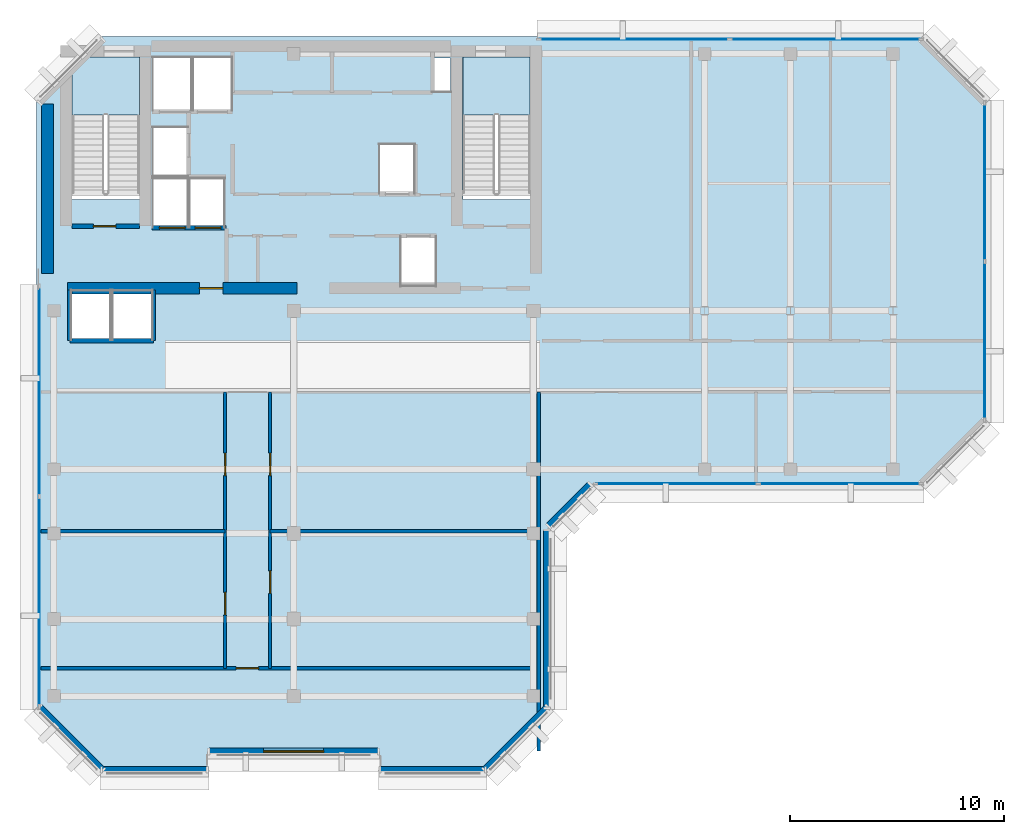
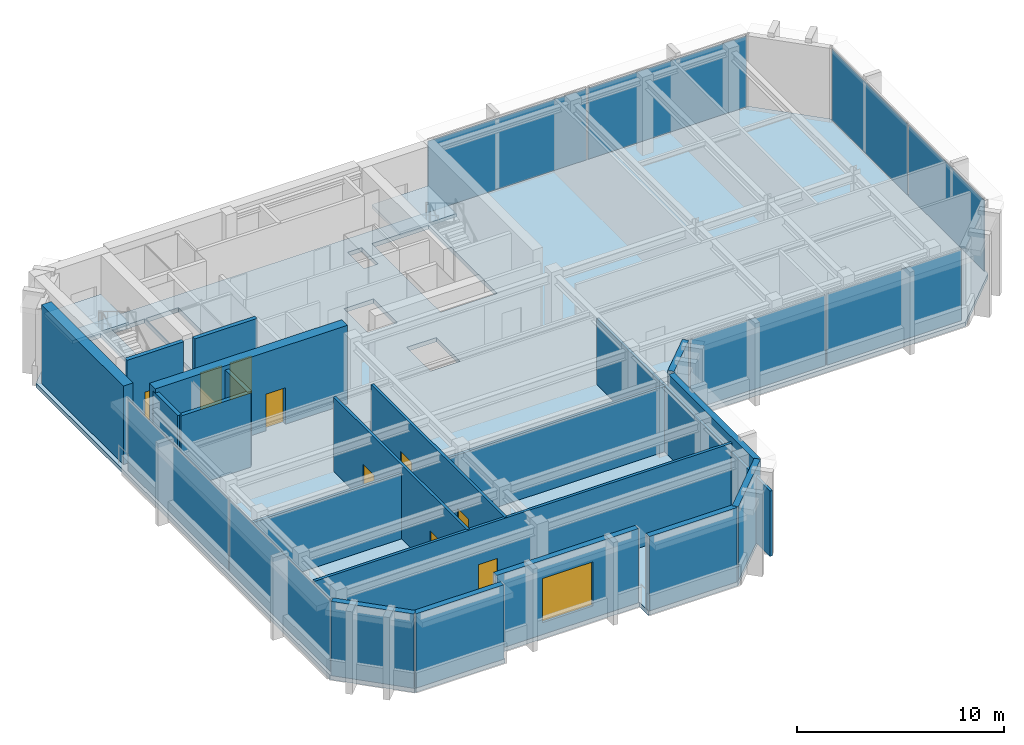
# One storey, part 4 of 9: 20 walls, 9 doors, 8 plates, 3 slabs, 1 window, 10 openings, 6 elements without a shape of their own.
"""IFC4 building model written with IfcOpenShell, lengths in metres."""

from ifc_helpers import new_model, si_unit, direction, frame, frame_2d, origin, origin_2d, place, context, subcontext, project, spatial, polyline, rectangle, outline, extrude, material, layer, layer_set, type_object, element, fill, aggregate, save


model = new_model("IFC4")

# Units and contexts
model_context = context("Model", 3, precision=1e-05, world=origin(), true_north=direction((0.0, 1.0)))
body_context = subcontext(model_context, "Body", "Model", "MODEL_VIEW")
ifc_project = project(units=[si_unit("LENGTHUNIT", "METRE"), si_unit("AREAUNIT", "SQUARE_METRE"), si_unit("VOLUMEUNIT", "CUBIC_METRE"), si_unit("PLANEANGLEUNIT", "RADIAN"), si_unit("MASSUNIT", "GRAM", prefix="KILO")], contexts=[model_context])

# Site, building, storey
site_placement = place(None, origin())
site = spatial("IfcSite", under=ifc_project, at=site_placement, CompositionType="ELEMENT")
building_placement = place(site_placement, origin())
building = spatial("IfcBuilding", under=site, at=building_placement, Name="Kefirva Bronze Tower", CompositionType="ELEMENT")
storey_placement = place(building_placement, frame((0.0, 0.0, 356.72998046875)))
storey = spatial("IfcBuildingStorey", under=building, at=storey_placement, Name="L87", CompositionType="ELEMENT", Elevation=356.72998046875)

# Stair, slab
ifc_material_1 = material(Name="Concrete C40/50", Category="concrete")
stair_type = type_object("IfcStairType", Name="RC Dogleg Protected Stair 28R", PredefinedType="HALF_TURN_STAIR", material=ifc_material_1)
stair_1_placement = place(storey_placement, origin())
stair_1 = element("IfcStair", 1, at=stair_1_placement, inside=storey, type_object=stair_type, Name="L87 Protected Exit Stair 1", PredefinedType="HALF_TURN_STAIR")
ifc_layer_1 = layer(ifc_material_1, 0.199951171875, Name="Concrete C40/50")
ifc_layer_set_1 = layer_set([ifc_layer_1], Name="Concrete C40/50")
slab_type_1 = type_object("IfcSlabType", Name="RC Stair Landing Slab 200mm", PredefinedType="LANDING", material=ifc_layer_set_1)
slab_1_placement = place(storey_placement, frame((0.0, 0.0, 2.110107421875)))
slab_1 = element("IfcSlab", 2, at=slab_1_placement, type_object=slab_type_1, Name="ST-1 landing 1", PredefinedType="LANDING", context=body_context, shape_type="SweptSolid", body=[
    extrude(outline(polyline([(4.800048828125, 42.340087890625), (4.800048828125, 45.050048828125), (1.64990234375, 45.050048828125), (1.64990234375, 42.340087890625), (4.800048828125, 42.340087890625)])), origin(), (0.0, 0.0, 1.0), 0.199951171875),
])
aggregate(stair_1, [slab_1])

stair_2_placement = place(storey_placement, origin())
stair_2 = element("IfcStair", 3, at=stair_2_placement, inside=storey, type_object=stair_type, Name="L87 Protected Exit Stair 2", PredefinedType="HALF_TURN_STAIR")
slab_2_placement = place(storey_placement, frame((0.0, 0.0, 2.110107421875)))
slab_2 = element("IfcSlab", 4, at=slab_2_placement, type_object=slab_type_1, Name="ST-2 landing 1", PredefinedType="LANDING", context=body_context, shape_type="SweptSolid", body=[
    extrude(outline(polyline([(23.050048828125, 42.340087890625), (23.050048828125, 45.050048828125), (19.89990234375, 45.050048828125), (19.89990234375, 42.340087890625), (23.050048828125, 42.340087890625)])), origin(), (0.0, 0.0, 1.0), 0.199951171875),
])
aggregate(stair_2, [slab_2])

# Slab
ifc_layer_2 = layer(ifc_material_1, 0.25, Name="Concrete C40/50")
ifc_layer_set_2 = layer_set([ifc_layer_2], Name="Concrete C40/50")
slab_type_2 = type_object("IfcSlabType", Name="RC Tower Floor Slab 250mm", PredefinedType="FLOOR", material=ifc_layer_set_2)
slab_3_placement = place(storey_placement, frame((0.0, 0.0, -0.25)))
element("IfcSlab", 5, at=slab_3_placement, inside=storey, type_object=slab_type_2, Name="L87 Structural Floor Slab", PredefinedType="FLOOR", context=body_context, shape_type="SweptSolid", body=[
    extrude(outline(polyline([(0.0, 14.60009765625), (0.0, 43.0), (1.64990234375, 44.64990234375), (1.64990234375, 38.39990234375), (4.800048828125, 38.39990234375), (4.800048828125, 45.050048828125), (2.050048828125, 45.050048828125), (3.0, 46.0), (41.39990234375, 46.0), (44.39990234375, 43.0), (44.39990234375, 28.0), (41.39990234375, 25.0), (26.0, 25.0), (24.0, 23.0), (24.0, 14.60009765625), (21.0, 11.60009765625), (16.0, 11.60009765625), (16.0, 12.449951171875), (8.0, 12.449951171875), (8.0, 11.60009765625), (3.0, 11.60009765625), (0.0, 14.60009765625)]), holes=[polyline([(23.050048828125, 45.050048828125), (19.89990234375, 45.050048828125), (19.89990234375, 38.39990234375), (23.050048828125, 38.39990234375), (23.050048828125, 45.050048828125)]), polyline([(19.320068359375, 43.419921875), (19.320068359375, 45.0), (18.52001953125, 45.0), (18.52001953125, 43.419921875), (19.320068359375, 43.419921875)]), polyline([(18.64990234375, 36.64990234375), (17.0, 36.64990234375), (17.0, 34.35009765625), (18.64990234375, 34.35009765625), (18.64990234375, 36.64990234375)]), polyline([(17.64990234375, 38.679931640625), (17.64990234375, 40.97998046875), (16.0, 40.97998046875), (16.0, 38.679931640625), (17.64990234375, 38.679931640625)]), polyline([(9.1201171875, 42.550048828125), (9.1201171875, 45.050048828125), (7.300048828125, 45.050048828125), (7.300048828125, 42.550048828125), (9.1201171875, 42.550048828125)]), polyline([(8.780029296875, 37.10009765625), (8.780029296875, 39.39990234375), (7.139892578125, 39.39990234375), (7.139892578125, 37.10009765625), (8.780029296875, 37.10009765625)]), polyline([(7.239990234375, 42.550048828125), (7.239990234375, 45.050048828125), (5.419921875, 45.050048828125), (5.419921875, 42.550048828125), (7.239990234375, 42.550048828125)]), polyline([(7.06005859375, 37.10009765625), (7.06005859375, 39.39990234375), (5.419921875, 39.39990234375), (5.419921875, 37.10009765625), (7.06005859375, 37.10009765625)]), polyline([(7.06005859375, 41.780029296875), (5.419921875, 41.780029296875), (5.419921875, 39.47998046875), (7.06005859375, 39.47998046875), (7.06005859375, 41.780029296875)]), polyline([(5.39990234375, 31.85009765625), (5.39990234375, 34.14990234375), (3.550048828125, 34.14990234375), (3.550048828125, 31.85009765625), (5.39990234375, 31.85009765625)]), polyline([(3.449951171875, 34.14990234375), (1.60009765625, 34.14990234375), (1.60009765625, 31.85009765625), (3.449951171875, 31.85009765625), (3.449951171875, 34.14990234375)])]), origin(), (0.0, 0.0, 1.0), 0.25),
])

# Curtain wall, plates
ifc_material_2 = material(Name="Bronze anodised aluminium", Category="aluminium")
ifc_layer_3 = layer(ifc_material_2, 0.219970703125, Name="Bronze anodised aluminium")
ifc_layer_set_3 = layer_set([ifc_layer_3], Name="Bronze anodised aluminium")
curtain_wall_type = type_object("IfcCurtainWallType", Name="Slanted Crown Faceted Bronze Curtain Wall", PredefinedType="USERDEFINED", material=ifc_layer_set_3)
curtain_wall_1_placement = place(storey_placement, origin())
curtain_wall_1 = element("IfcCurtainWall", 6, at=curtain_wall_1_placement, inside=storey, type_object=curtain_wall_type, Name="L87 Curtain Wall 1", ObjectType="UNITISED CURTAIN WALL", PredefinedType="USERDEFINED")
ifc_material_3 = material(Name="Laminated low-E double glazing", Category="glass")
ifc_layer_4 = layer(ifc_material_3, 0.031982421875, Name="Laminated low-E double glazing")
ifc_layer_set_4 = layer_set([ifc_layer_4], Name="Laminated low-E double glazing")
plate_type = type_object("IfcPlateType", Name="Solar-Control Low-E Vision Panel 32mm", PredefinedType="CURTAIN_PANEL", material=ifc_layer_set_4)
plate_1_placement = place(storey_placement, frame((29.89990234375, 25.1201171875, 0.090087890625), z_axis=(0.0, 0.0, 1.0), x_axis=(1.0, 0.0, 0.0)))
plate_1 = element("IfcPlate", 7, at=plate_1_placement, type_object=plate_type, Name="CW-07 panel 1.1", PredefinedType="CURTAIN_PANEL", context=body_context, shape_type="SweptSolid", body=[
    extrude(rectangle(XDim=7.510009765625, YDim=0.031982421875, at=origin_2d()), origin(), (0.0, 0.0, 1.0), 4.18994140625),
])
plate_2_placement = place(storey_placement, frame((37.5, 25.1201171875, 0.090087890625), z_axis=(0.0, 0.0, 1.0), x_axis=(1.0, 0.0, 0.0)))
plate_2 = element("IfcPlate", 8, at=plate_2_placement, type_object=plate_type, Name="CW-07 panel 2.1", PredefinedType="CURTAIN_PANEL", context=body_context, shape_type="SweptSolid", body=[
    extrude(rectangle(XDim=7.510009765625, YDim=0.031982421875, at=origin_2d()), origin(), (0.0, 0.0, 1.0), 4.18994140625),
])
aggregate(curtain_wall_1, [plate_1, plate_2])

curtain_wall_2_placement = place(storey_placement, origin())
curtain_wall_2 = element("IfcCurtainWall", 9, at=curtain_wall_2_placement, inside=storey, type_object=curtain_wall_type, Name="L87 Curtain Wall 2", ObjectType="UNITISED CURTAIN WALL", PredefinedType="USERDEFINED")
plate_3_placement = place(storey_placement, frame((44.280029296875, 31.800048828125, 0.090087890625), z_axis=(0.0, 0.0, 1.0), x_axis=(0.0, 1.0, 0.0)))
plate_3 = element("IfcPlate", 10, at=plate_3_placement, type_object=plate_type, Name="CW-07 panel 1.1", PredefinedType="CURTAIN_PANEL", context=body_context, shape_type="SweptSolid", body=[
    extrude(rectangle(XDim=7.31005859375, YDim=0.031982421875, at=origin_2d()), origin(), (0.0, 0.0, 1.0), 4.18994140625),
])
plate_4_placement = place(storey_placement, frame((44.280029296875, 39.199951171875, 0.090087890625), z_axis=(0.0, 0.0, 1.0), x_axis=(0.0, 1.0, 0.0)))
plate_4 = element("IfcPlate", 11, at=plate_4_placement, type_object=plate_type, Name="CW-07 panel 2.1", PredefinedType="CURTAIN_PANEL", context=body_context, shape_type="SweptSolid", body=[
    extrude(rectangle(XDim=7.31005859375, YDim=0.031982421875, at=origin_2d()), origin(), (0.0, 0.0, 1.0), 4.18994140625),
])
aggregate(curtain_wall_2, [plate_3, plate_4])

curtain_wall_3_placement = place(storey_placement, origin())
curtain_wall_3 = element("IfcCurtainWall", 12, at=curtain_wall_3_placement, inside=storey, type_object=curtain_wall_type, Name="L87 Curtain Wall 3", ObjectType="UNITISED CURTAIN WALL", PredefinedType="USERDEFINED")
plate_5_placement = place(storey_placement, frame((36.83740234375, 45.8798828125, 0.090087890625), z_axis=(0.0, 0.0, 1.0), x_axis=(-1.0, 0.0, 0.0)))
plate_5 = element("IfcPlate", 13, at=plate_5_placement, type_object=plate_type, Name="CW-07 panel 1.1", PredefinedType="CURTAIN_PANEL", context=body_context, shape_type="SweptSolid", body=[
    extrude(rectangle(XDim=8.8349609375, YDim=0.031982421875, at=origin_2d()), origin(), (0.0, 0.0, 1.0), 4.18994140625),
])
plate_6_placement = place(storey_placement, frame((27.91259765625, 45.8798828125, 0.090087890625), z_axis=(0.0, 0.0, 1.0), x_axis=(-1.0, 0.0, 0.0)))
plate_6 = element("IfcPlate", 14, at=plate_6_placement, type_object=plate_type, Name="CW-07 panel 2.1", PredefinedType="CURTAIN_PANEL", context=body_context, shape_type="SweptSolid", body=[
    extrude(rectangle(XDim=8.8349609375, YDim=0.031982421875, at=origin_2d()), origin(), (0.0, 0.0, 1.0), 4.18994140625),
])
aggregate(curtain_wall_3, [plate_5, plate_6])

curtain_wall_4_placement = place(storey_placement, origin())
curtain_wall_4 = element("IfcCurtainWall", 15, at=curtain_wall_4_placement, inside=storey, type_object=curtain_wall_type, Name="L87 Curtain Wall 4", ObjectType="UNITISED CURTAIN WALL", PredefinedType="USERDEFINED")
plate_7_placement = place(storey_placement, frame((0.1201171875, 29.4375, 0.090087890625), z_axis=(0.0, 0.0, 1.0), x_axis=(0.0, -1.0, 0.0)))
plate_7 = element("IfcPlate", 16, at=plate_7_placement, type_object=plate_type, Name="CW-07 panel 1.1", PredefinedType="CURTAIN_PANEL", context=body_context, shape_type="SweptSolid", body=[
    extrude(rectangle(XDim=9.735107421875, YDim=0.031982421875, at=origin_2d()), origin(), (0.0, 0.0, 1.0), 4.18994140625),
])
plate_8_placement = place(storey_placement, frame((0.1201171875, 19.612548828125, 0.090087890625), z_axis=(0.0, 0.0, 1.0), x_axis=(0.0, -1.0, 0.0)))
plate_8 = element("IfcPlate", 17, at=plate_8_placement, type_object=plate_type, Name="CW-07 panel 2.1", PredefinedType="CURTAIN_PANEL", context=body_context, shape_type="SweptSolid", body=[
    extrude(rectangle(XDim=9.735107421875, YDim=0.031982421875, at=origin_2d()), origin(), (0.0, 0.0, 1.0), 4.18994140625),
])
aggregate(curtain_wall_4, [plate_7, plate_8])

# Wall, openings, doors
ifc_material_4 = material(Name="Gypsum acoustic partition")
ifc_layer_5 = layer(ifc_material_4, 0.14990234375, Name="Gypsum acoustic partition")
ifc_layer_set_5 = layer_set([ifc_layer_5], Name="Gypsum acoustic partition")
wall_type_1 = type_object("IfcWallType", Name="Executive Suite Partition 150mm", PredefinedType="PARTITIONING", material=ifc_layer_set_5)
wall_1_placement = place(storey_placement, frame((8.800048828125, 16.5, 0.0), z_axis=(0.0, 0.0, 1.0), x_axis=(0.0, 1.0, 0.0)))
wall_1 = element("IfcWall", 18, at=wall_1_placement, inside=storey, type_object=wall_type_1, Name="L87 Partition W-L87-SMCW", PredefinedType="PARTITIONING", context=body_context, shape_type="SweptSolid", body=[
    extrude(rectangle(XDim=12.89990234375, YDim=0.14990234375, at=frame_2d((6.449951171875, 0.0))), origin(), (0.0, 0.0, 1.0), 4.3701171875),
])
opening_1_placement = place(wall_1_placement, frame((3.550048828125, 0.0, 0.0), z_axis=(0.0, 0.0, 1.0), x_axis=(-1.0, 0.0, 0.0)))
opening_1 = element("IfcOpeningElement", 19, at=opening_1_placement, cuts=wall_1, Name="Opening L87-D-SMW1", PredefinedType="OPENING", context=body_context, shape_type="SweptSolid", body=[
    extrude(rectangle(XDim=1.050048828125, YDim=2.14990234375, at=frame_2d((0.52490234375, 1.074951171875))), frame((0.0, 0.0849609375, 0.0), z_axis=(0.0, -1.0, 0.0), x_axis=(1.0, 0.0, 0.0)), (0.0, 0.0, 1.0), 0.169921875),
])
opening_2_placement = place(wall_1_placement, frame((10.050048828125, 0.0, 0.0), z_axis=(0.0, 0.0, 1.0), x_axis=(-1.0, 0.0, 0.0)))
opening_2 = element("IfcOpeningElement", 20, at=opening_2_placement, cuts=wall_1, Name="Opening L87-D-SMW2", PredefinedType="OPENING", context=body_context, shape_type="SweptSolid", body=[
    extrude(rectangle(XDim=1.050048828125, YDim=2.14990234375, at=frame_2d((0.52490234375, 1.074951171875))), frame((0.0, 0.0849609375, 0.0), z_axis=(0.0, -1.0, 0.0), x_axis=(1.0, 0.0, 0.0)), (0.0, 0.0, 1.0), 0.169921875),
])
ifc_material_5 = material(Name="Acoustic hardwood oak", Category="wood")
door_type_1 = type_object("IfcDoorType", Name="Executive & Boardroom Door 1050x2150", OperationType="NOTDEFINED", PredefinedType="DOOR", material=ifc_material_5)
door_1_placement = place(opening_1_placement, origin())
door_1 = element("IfcDoor", 21, at=door_1_placement, inside=storey, type_object=door_type_1, Name="Door L87-D-SMW1", OperationType="SINGLE_SWING_LEFT", OverallHeight=2.14990234375, OverallWidth=1.050048828125, PredefinedType="DOOR", context=body_context, shape_type="SweptSolid", body=[
    extrude(rectangle(XDim=1.050048828125, YDim=2.14990234375, at=frame_2d((0.52490234375, 1.074951171875))), frame((0.0, 0.02490234375, 0.0), z_axis=(0.0, -1.0, 0.0), x_axis=(1.0, 0.0, 0.0)), (0.0, 0.0, 1.0), 0.050048828125),
])
fill(opening_1, door_1)
door_2_placement = place(opening_2_placement, origin())
door_2 = element("IfcDoor", 22, at=door_2_placement, inside=storey, type_object=door_type_1, Name="Door L87-D-SMW2", OperationType="SINGLE_SWING_RIGHT", OverallHeight=2.14990234375, OverallWidth=1.050048828125, PredefinedType="DOOR", context=body_context, shape_type="SweptSolid", body=[
    extrude(rectangle(XDim=1.050048828125, YDim=2.14990234375, at=frame_2d((0.52490234375, 1.074951171875))), frame((0.0, 0.02490234375, 0.0), z_axis=(0.0, -1.0, 0.0), x_axis=(1.0, 0.0, 0.0)), (0.0, 0.0, 1.0), 0.050048828125),
])
fill(opening_2, door_2)

wall_2_placement = place(storey_placement, frame((10.89990234375, 16.5, 0.0), z_axis=(0.0, 0.0, 1.0), x_axis=(0.0, 1.0, 0.0)))
wall_2 = element("IfcWall", 23, at=wall_2_placement, inside=storey, type_object=wall_type_1, Name="L87 Partition W-L87-SMCE", PredefinedType="PARTITIONING", context=body_context, shape_type="SweptSolid", body=[
    extrude(rectangle(XDim=12.89990234375, YDim=0.14990234375, at=frame_2d((6.449951171875, 0.0))), origin(), (0.0, 0.0, 1.0), 4.3701171875),
])
opening_3_placement = place(wall_2_placement, frame((3.5, 0.0, 0.0)))
opening_3 = element("IfcOpeningElement", 24, at=opening_3_placement, cuts=wall_2, Name="Opening L87-D-SME1", PredefinedType="OPENING", context=body_context, shape_type="SweptSolid", body=[
    extrude(rectangle(XDim=1.050048828125, YDim=2.14990234375, at=frame_2d((0.52490234375, 1.074951171875))), frame((0.0, 0.0849609375, 0.0), z_axis=(0.0, -1.0, 0.0), x_axis=(1.0, 0.0, 0.0)), (0.0, 0.0, 1.0), 0.169921875),
])
opening_4_placement = place(wall_2_placement, frame((9.0, 0.0, 0.0)))
opening_4 = element("IfcOpeningElement", 25, at=opening_4_placement, cuts=wall_2, Name="Opening L87-D-SME2", PredefinedType="OPENING", context=body_context, shape_type="SweptSolid", body=[
    extrude(rectangle(XDim=1.050048828125, YDim=2.14990234375, at=frame_2d((0.52490234375, 1.074951171875))), frame((0.0, 0.0849609375, 0.0), z_axis=(0.0, -1.0, 0.0), x_axis=(1.0, 0.0, 0.0)), (0.0, 0.0, 1.0), 0.169921875),
])
door_3_placement = place(opening_3_placement, origin())
door_3 = element("IfcDoor", 26, at=door_3_placement, inside=storey, type_object=door_type_1, Name="Door L87-D-SME1", OperationType="SINGLE_SWING_LEFT", OverallHeight=2.14990234375, OverallWidth=1.050048828125, PredefinedType="DOOR", context=body_context, shape_type="SweptSolid", body=[
    extrude(rectangle(XDim=1.050048828125, YDim=2.14990234375, at=frame_2d((0.52490234375, 1.074951171875))), frame((0.0, 0.02490234375, 0.0), z_axis=(0.0, -1.0, 0.0), x_axis=(1.0, 0.0, 0.0)), (0.0, 0.0, 1.0), 0.050048828125),
])
fill(opening_3, door_3)
door_4_placement = place(opening_4_placement, origin())
door_4 = element("IfcDoor", 27, at=door_4_placement, inside=storey, type_object=door_type_1, Name="Door L87-D-SME2", OperationType="SINGLE_SWING_RIGHT", OverallHeight=2.14990234375, OverallWidth=1.050048828125, PredefinedType="DOOR", context=body_context, shape_type="SweptSolid", body=[
    extrude(rectangle(XDim=1.050048828125, YDim=2.14990234375, at=frame_2d((0.52490234375, 1.074951171875))), frame((0.0, 0.02490234375, 0.0), z_axis=(0.0, -1.0, 0.0), x_axis=(1.0, 0.0, 0.0)), (0.0, 0.0, 1.0), 0.050048828125),
])
fill(opening_4, door_4)

# Wall, opening, door
wall_3_placement = place(storey_placement, frame((0.18994140625, 16.5, 0.0), z_axis=(0.0, 0.0, 1.0), x_axis=(1.0, 0.0, 0.0)))
wall_3 = element("IfcWall", 28, at=wall_3_placement, inside=storey, type_object=wall_type_1, Name="L87 Partition W-L87-SMCS", PredefinedType="PARTITIONING", context=body_context, shape_type="SweptSolid", body=[
    extrude(rectangle(XDim=23.260009765625, YDim=0.14990234375, at=frame_2d((11.6298828125, 0.0))), origin(), (0.0, 0.0, 1.0), 4.3701171875),
])
opening_5_placement = place(wall_3_placement, frame((9.1298828125, 0.0, 0.0)))
opening_5 = element("IfcOpeningElement", 29, at=opening_5_placement, cuts=wall_3, Name="Opening L87-D-SMCAP", PredefinedType="OPENING", context=body_context, shape_type="SweptSolid", body=[
    extrude(rectangle(XDim=1.050048828125, YDim=2.14990234375, at=frame_2d((0.52490234375, 1.074951171875))), frame((0.0, 0.0849609375, 0.0), z_axis=(0.0, -1.0, 0.0), x_axis=(1.0, 0.0, 0.0)), (0.0, 0.0, 1.0), 0.169921875),
])
door_5_placement = place(opening_5_placement, origin())
door_5 = element("IfcDoor", 30, at=door_5_placement, inside=storey, type_object=door_type_1, Name="Door L87-D-SMCAP", OperationType="SINGLE_SWING_RIGHT", OverallHeight=2.14990234375, OverallWidth=1.050048828125, PredefinedType="DOOR", context=body_context, shape_type="SweptSolid", body=[
    extrude(rectangle(XDim=1.050048828125, YDim=2.14990234375, at=frame_2d((0.52490234375, 1.074951171875))), frame((0.0, 0.02490234375, 0.0), z_axis=(0.0, -1.0, 0.0), x_axis=(1.0, 0.0, 0.0)), (0.0, 0.0, 1.0), 0.050048828125),
])
fill(opening_5, door_5)

# Walls
wall_4_placement = place(storey_placement, frame((23.449951171875, 12.639892578125, 0.0), z_axis=(0.0, 0.0, 1.0), x_axis=(0.0, 1.0, 0.0)))
element("IfcWall", 31, at=wall_4_placement, inside=storey, type_object=wall_type_1, Name="L87 Partition W-L87-SMSWE", PredefinedType="PARTITIONING", context=body_context, shape_type="SweptSolid", body=[
    extrude(rectangle(XDim=16.760009765625, YDim=0.14990234375, at=frame_2d((8.3798828125, 0.0))), origin(), (0.0, 0.0, 1.0), 3.85498046875),
])
wall_5_placement = place(storey_placement, frame((0.18994140625, 22.89990234375, 0.0), z_axis=(0.0, 0.0, 1.0), x_axis=(1.0, 0.0, 0.0)))
element("IfcWall", 32, at=wall_5_placement, inside=storey, type_object=wall_type_1, Name="L87 Partition W-L87-SMWD", PredefinedType="PARTITIONING", context=body_context, shape_type="SweptSolid", body=[
    extrude(rectangle(XDim=8.610107421875, YDim=0.14990234375, at=frame_2d((4.30517578125, 0.0))), origin(), (0.0, 0.0, 1.0), 3.85498046875),
])
wall_6_placement = place(storey_placement, frame((10.89990234375, 22.89990234375, 0.0), z_axis=(0.0, 0.0, 1.0), x_axis=(1.0, 0.0, 0.0)))
element("IfcWall", 33, at=wall_6_placement, inside=storey, type_object=wall_type_1, Name="L87 Partition W-L87-SMED", PredefinedType="PARTITIONING", context=body_context, shape_type="SweptSolid", body=[
    extrude(rectangle(XDim=12.550048828125, YDim=0.14990234375, at=frame_2d((6.27490234375, 0.0))), origin(), (0.0, 0.0, 1.0), 3.85498046875),
])

# Wall, opening, door
ifc_material_6 = material(Name="Gypsum fireboard shaftwall")
ifc_layer_6 = layer(ifc_material_6, 0.219970703125, Name="Gypsum fireboard shaftwall")
ifc_layer_set_6 = layer_set([ifc_layer_6], Name="Gypsum fireboard shaftwall")
wall_type_2 = type_object("IfcWallType", Name="Fire-Rated Shaft Enclosure Wall 220mm", PredefinedType="PARTITIONING", material=ifc_layer_set_6)
wall_7_placement = place(storey_placement, frame((1.64990234375, 37.14990234375, 0.0), z_axis=(0.0, 0.0, 1.0), x_axis=(1.0, 0.0, 0.0)))
wall_7 = element("IfcWall", 34, at=wall_7_placement, inside=storey, type_object=wall_type_2, Name="L87 Partition W-L87-ST1S", PredefinedType="PARTITIONING", context=body_context, shape_type="SweptSolid", body=[
    extrude(rectangle(XDim=3.150146484375, YDim=0.219970703125, at=frame_2d((1.5751953125, 0.0))), origin(), (0.0, 0.0, 1.0), 4.3701171875),
])
opening_6_placement = place(wall_7_placement, frame((2.050048828125, 0.0, 0.0), z_axis=(0.0, 0.0, 1.0), x_axis=(-1.0, 0.0, 0.0)))
opening_6 = element("IfcOpeningElement", 35, at=opening_6_placement, cuts=wall_7, Name="Opening L87-D001", PredefinedType="OPENING", context=body_context, shape_type="SweptSolid", body=[
    extrude(rectangle(XDim=1.050048828125, YDim=2.14990234375, at=frame_2d((0.52490234375, 1.074951171875))), frame((0.0, 0.1201171875, 0.0), z_axis=(0.0, -1.0, 0.0), x_axis=(1.0, 0.0, 0.0)), (0.0, 0.0, 1.0), 0.239990234375),
])
ifc_material_7 = material(Name="Painted galvanized steel", Category="steel")
door_type_2 = type_object("IfcDoorType", Name="Fire Stair Enclosure Door 1050x2150 FD90S", OperationType="NOTDEFINED", PredefinedType="DOOR", material=ifc_material_7)
door_6_placement = place(opening_6_placement, origin())
door_6 = element("IfcDoor", 36, at=door_6_placement, inside=storey, type_object=door_type_2, Name="Door L87-D001", OperationType="SINGLE_SWING_LEFT", OverallHeight=2.14990234375, OverallWidth=1.050048828125, PredefinedType="DOOR", context=body_context, shape_type="SweptSolid", body=[
    extrude(rectangle(XDim=1.050048828125, YDim=2.14990234375, at=frame_2d((0.52490234375, 1.074951171875))), frame((0.0, 0.02490234375, 0.0), z_axis=(0.0, -1.0, 0.0), x_axis=(1.0, 0.0, 0.0)), (0.0, 0.0, 1.0), 0.050048828125),
])
fill(opening_6, door_6)

# Wall, openings, doors
wall_8_placement = place(storey_placement, frame((5.3798828125, 37.080078125, 0.0), z_axis=(0.0, 0.0, 1.0), x_axis=(1.0, 0.0, 0.0)))
wall_8 = element("IfcWall", 37, at=wall_8_placement, inside=storey, type_object=wall_type_2, Name="L87 Partition W-L87-FFS", PredefinedType="PARTITIONING", context=body_context, shape_type="SweptSolid", body=[
    extrude(rectangle(XDim=3.460205078125, YDim=0.219970703125, at=frame_2d((1.72998046875, 0.0))), origin(), (0.0, 0.0, 1.0), 4.3701171875),
])
opening_7_placement = place(wall_8_placement, frame((1.550048828125, 0.0, 0.0), z_axis=(0.0, 0.0, 1.0), x_axis=(-1.0, 0.0, 0.0)))
opening_7 = element("IfcOpeningElement", 38, at=opening_7_placement, cuts=wall_8, Name="Opening L87-LD-FF1", PredefinedType="OPENING", context=body_context, shape_type="SweptSolid", body=[
    extrude(rectangle(XDim=1.199951171875, YDim=2.199951171875, at=frame_2d((0.60009765625, 1.10009765625))), frame((0.0, 0.1201171875, 0.0), z_axis=(0.0, -1.0, 0.0), x_axis=(1.0, 0.0, 0.0)), (0.0, 0.0, 1.0), 0.239990234375),
])
opening_8_placement = place(wall_8_placement, frame((3.219970703125, 0.0, 0.0), z_axis=(0.0, 0.0, 1.0), x_axis=(-1.0, 0.0, 0.0)))
opening_8 = element("IfcOpeningElement", 39, at=opening_8_placement, cuts=wall_8, Name="Opening L87-LD-FF2", PredefinedType="OPENING", context=body_context, shape_type="SweptSolid", body=[
    extrude(rectangle(XDim=1.199951171875, YDim=2.199951171875, at=frame_2d((0.60009765625, 1.10009765625))), frame((0.0, 0.1201171875, 0.0), z_axis=(0.0, -1.0, 0.0), x_axis=(1.0, 0.0, 0.0)), (0.0, 0.0, 1.0), 0.239990234375),
])
ifc_material_8 = material(Name="Stainless steel 316", Category="steel")
door_type_3 = type_object("IfcDoorType", Name="Firefighting Lift Sliding Door 1200x2200", OperationType="SLIDING_TO_RIGHT", PredefinedType="DOOR", material=ifc_material_8)
door_7_placement = place(opening_7_placement, origin())
door_7 = element("IfcDoor", 40, at=door_7_placement, inside=storey, type_object=door_type_3, Name="Door L87-LD-FF1", OperationType="SLIDING_TO_RIGHT", OverallHeight=2.199951171875, OverallWidth=1.199951171875, PredefinedType="DOOR", context=body_context, shape_type="SweptSolid", body=[
    extrude(rectangle(XDim=1.199951171875, YDim=2.199951171875, at=frame_2d((0.60009765625, 1.10009765625))), frame((0.0, 0.02490234375, 0.0), z_axis=(0.0, -1.0, 0.0), x_axis=(1.0, 0.0, 0.0)), (0.0, 0.0, 1.0), 0.050048828125),
])
fill(opening_7, door_7)
door_8_placement = place(opening_8_placement, origin())
door_8 = element("IfcDoor", 41, at=door_8_placement, inside=storey, type_object=door_type_3, Name="Door L87-LD-FF2", OperationType="SLIDING_TO_RIGHT", OverallHeight=2.199951171875, OverallWidth=1.199951171875, PredefinedType="DOOR", context=body_context, shape_type="SweptSolid", body=[
    extrude(rectangle(XDim=1.199951171875, YDim=2.199951171875, at=frame_2d((0.60009765625, 1.10009765625))), frame((0.0, 0.02490234375, 0.0), z_axis=(0.0, -1.0, 0.0), x_axis=(1.0, 0.0, 0.0)), (0.0, 0.0, 1.0), 0.050048828125),
])
fill(opening_8, door_8)

# Walls
wall_9_placement = place(storey_placement, frame((1.550048828125, 31.800048828125, 0.0), z_axis=(0.0, 0.0, 1.0), x_axis=(1.0, 0.0, 0.0)))
element("IfcWall", 42, at=wall_9_placement, inside=storey, type_object=wall_type_2, Name="L87 Partition W-L87-OBS", PredefinedType="PARTITIONING", context=body_context, shape_type="SweptSolid", body=[
    extrude(rectangle(XDim=3.89990234375, YDim=0.219970703125, at=frame_2d((1.949951171875, 0.0))), origin(), (0.0, 0.0, 1.0), 4.3701171875),
])
for number, where, z_axis, x_axis, name in (
    (43, (1.550048828125, 31.800048828125, 0.0), (0.0, 0.0, 1.0), (0.0, 1.0, 0.0), "L87 Partition W-L87-OBW"),
    (44, (5.449951171875, 31.800048828125, 0.0), (0.0, 0.0, 1.0), (0.0, 1.0, 0.0), "L87 Partition W-L87-OBE"),
):
    element("IfcWall", number, at=place(storey_placement, frame(where, z_axis=z_axis, x_axis=x_axis)), inside=storey, type_object=wall_type_2, Name=name, PredefinedType="PARTITIONING", context=body_context, shape_type="SweptSolid", body=[
        extrude(rectangle(XDim=2.3798828125, YDim=0.219970703125, at=frame_2d((1.18994140625, 0.0))), origin(), (0.0, 0.0, 1.0), 4.3701171875),
    ])
ifc_material_9 = material(Name="Precast concrete C40/50", Category="concrete")
ifc_layer_7 = layer(ifc_material_9, 0.320068359375, Name="Precast concrete C40/50")
ifc_layer_set_7 = layer_set([ifc_layer_7], Name="Precast concrete C40/50")
wall_type_3 = type_object("IfcWallType", Name="Precast Insulated Exterior Wall 320mm", PredefinedType="SOLIDWALL", material=ifc_layer_set_7)
wall_10_placement = place(storey_placement, frame((3.054931640625, 11.760009765625, 0.0), z_axis=(0.0, 0.0, 1.0), x_axis=(1.0, 0.0, 0.0)))
element("IfcWall", 45, at=wall_10_placement, inside=storey, type_object=wall_type_3, Name="L87 Exterior Facade Wall 1", PredefinedType="SOLIDWALL", context=body_context, shape_type="SweptSolid", body=[
    extrude(rectangle(XDim=4.89013671875, YDim=0.320068359375, at=frame_2d((2.445068359375, 0.0))), origin(), (0.0, 0.0, 1.0), 4.3701171875),
])

# Wall, opening, window
wall_11_placement = place(storey_placement, frame((8.054931640625, 12.610107421875, 0.0), z_axis=(0.0, 0.0, 1.0), x_axis=(1.0, 0.0, 0.0)))
wall_11 = element("IfcWall", 46, at=wall_11_placement, inside=storey, type_object=wall_type_3, Name="L87 Exterior Facade Wall 2", PredefinedType="SOLIDWALL", context=body_context, shape_type="SweptSolid", body=[
    extrude(rectangle(XDim=7.89013671875, YDim=0.320068359375, at=frame_2d((3.945068359375, 0.0))), origin(), (0.0, 0.0, 1.0), 4.3701171875),
])
opening_9_placement = place(wall_11_placement, frame((2.544921875, 0.0, 0.699951171875)))
opening_9 = element("IfcOpeningElement", 47, at=opening_9_placement, cuts=wall_11, Name="Opening WN-04", PredefinedType="OPENING", context=body_context, shape_type="SweptSolid", body=[
    extrude(rectangle(XDim=2.800048828125, YDim=2.60009765625, at=frame_2d((1.39990234375, 1.300048828125))), frame((0.0, 0.169921875, 0.0), z_axis=(0.0, -1.0, 0.0), x_axis=(1.0, 0.0, 0.0)), (0.0, 0.0, 1.0), 0.340087890625),
])
window_type = type_object("IfcWindowType", Name="Lookout Panoramic Window 2800x2600", PartitioningType="SINGLE_PANEL", PredefinedType="WINDOW", material=ifc_material_3)
window_placement = place(opening_9_placement, origin())
window = element("IfcWindow", 48, at=window_placement, inside=storey, type_object=window_type, Name="L87 Ribbon Window 2", OverallHeight=2.60009765625, OverallWidth=2.800048828125, PartitioningType="SINGLE_PANEL", PredefinedType="WINDOW", context=body_context, shape_type="SweptSolid", body=[
    extrude(rectangle(XDim=2.800048828125, YDim=2.60009765625, at=frame_2d((1.39990234375, 1.300048828125))), frame((0.0, 0.030029296875, 0.0), z_axis=(0.0, -1.0, 0.0), x_axis=(1.0, 0.0, 0.0)), (0.0, 0.0, 1.0), 0.06005859375),
])
fill(opening_9, window)

# Walls
wall_12_placement = place(storey_placement, frame((16.054931640625, 11.760009765625, 0.0), z_axis=(0.0, 0.0, 1.0), x_axis=(1.0, 0.0, 0.0)))
element("IfcWall", 49, at=wall_12_placement, inside=storey, type_object=wall_type_3, Name="L87 Exterior Facade Wall 3", PredefinedType="SOLIDWALL", context=body_context, shape_type="SweptSolid", body=[
    extrude(rectangle(XDim=4.89013671875, YDim=0.320068359375, at=frame_2d((2.445068359375, 0.0))), origin(), (0.0, 0.0, 1.0), 4.3701171875),
])
wall_13_placement = place(storey_placement, frame((20.92578125, 11.751953125, 0.0), z_axis=(0.0, 0.0, 1.0), x_axis=(0.707077242712, 0.707136318428, 0.0)))
element("IfcWall", 50, at=wall_13_placement, inside=storey, type_object=wall_type_3, Name="L87 Exterior Facade Wall 4", PredefinedType="SOLIDWALL", context=body_context, shape_type="SweptSolid", body=[
    extrude(rectangle(XDim=4.132568359375, YDim=0.320068359375, at=frame_2d((2.06640625, 0.0))), origin(), (0.0, 0.0, 1.0), 4.3701171875),
])
wall_14_placement = place(storey_placement, frame((23.840087890625, 14.655029296875, 0.0), z_axis=(0.0, 0.0, 1.0), x_axis=(0.0, 1.0, 0.0)))
element("IfcWall", 51, at=wall_14_placement, inside=storey, type_object=wall_type_3, Name="L87 Exterior Facade Wall 5", PredefinedType="SOLIDWALL", context=body_context, shape_type="SweptSolid", body=[
    extrude(rectangle(XDim=8.2900390625, YDim=0.320068359375, at=frame_2d((4.14501953125, 0.0))), origin(), (0.0, 0.0, 1.0), 4.3701171875),
])
wall_15_placement = place(storey_placement, frame((23.92578125, 23.152099609375, 0.0), z_axis=(0.0, 0.0, 1.0), x_axis=(0.707106781187, 0.707106781187, 0.0)))
element("IfcWall", 52, at=wall_15_placement, inside=storey, type_object=wall_type_3, Name="L87 Exterior Facade Wall 6", PredefinedType="SOLIDWALL", context=body_context, shape_type="SweptSolid", body=[
    extrude(rectangle(XDim=2.71826171875, YDim=0.320068359375, at=frame_2d((1.359130859375, 0.0))), origin(), (0.0, 0.0, 1.0), 4.3701171875),
])
wall_16_placement = place(storey_placement, frame((0.152099609375, 14.67431640625, 0.0), z_axis=(0.0, 0.0, 1.0), x_axis=(0.707077242712, -0.707136318428, 0.0)))
element("IfcWall", 53, at=wall_16_placement, inside=storey, type_object=wall_type_3, Name="L87 Exterior Facade Wall 10", PredefinedType="SOLIDWALL", context=body_context, shape_type="SweptSolid", body=[
    extrude(rectangle(XDim=4.132568359375, YDim=0.320068359375, at=frame_2d((2.06640625, 0.0))), origin(), (0.0, 0.0, 1.0), 4.3701171875),
])
ifc_material_10 = material(Name="Concrete C50/60", Category="concrete")
ifc_layer_8 = layer(ifc_material_10, 0.550048828125, Name="Concrete C50/60")
ifc_layer_set_8 = layer_set([ifc_layer_8], Name="Concrete C50/60")
wall_type_4 = type_object("IfcWallType", Name="RC Rear Core Exterior Wall 550mm", PredefinedType="SHEAR", material=ifc_layer_set_8)
wall_17_placement = place(storey_placement, frame((0.5, 34.949951171875, 0.0), z_axis=(0.0, 0.0, 1.0), x_axis=(0.0, 1.0, 0.0)))
element("IfcWall", 54, at=wall_17_placement, inside=storey, type_object=wall_type_4, Name="L87 Rear Core West Shear Wall", PredefinedType="SHEAR", context=body_context, shape_type="SweptSolid", body=[
    extrude(rectangle(XDim=7.900146484375, YDim=0.550048828125, at=frame_2d((3.9501953125, 0.0))), origin(), (0.0, 0.0, 1.0), 4.6201171875),
])

# Wall, opening, door
ifc_layer_9 = layer(ifc_material_10, 0.550048828125, Name="Concrete C50/60")
ifc_layer_set_9 = layer_set([ifc_layer_9], Name="Concrete C50/60")
wall_type_5 = type_object("IfcWallType", Name="RC Rear Core Interior Wall 550mm", PredefinedType="SHEAR", material=ifc_layer_set_9)
wall_18_placement = place(storey_placement, frame((1.449951171875, 34.25, 0.0), z_axis=(0.0, 0.0, 1.0), x_axis=(1.0, 0.0, 0.0)))
wall_18 = element("IfcWall", 55, at=wall_18_placement, inside=storey, type_object=wall_type_5, Name="L87 Rear Core South-West Shear Wall", PredefinedType="SHEAR", context=body_context, shape_type="SweptSolid", body=[
    extrude(rectangle(XDim=10.7099609375, YDim=0.550048828125, at=frame_2d((5.35498046875, 0.0))), origin(), (0.0, 0.0, 1.0), 4.6201171875),
])
opening_10_placement = place(wall_18_placement, frame((7.25, 0.0, 0.0), z_axis=(0.0, 0.0, 1.0), x_axis=(-1.0, 0.0, 0.0)))
opening_10 = element("IfcOpeningElement", 56, at=opening_10_placement, cuts=wall_18, Name="Opening L87-D002", PredefinedType="OPENING", context=body_context, shape_type="SweptSolid", body=[
    extrude(rectangle(XDim=1.10009765625, YDim=2.14990234375, at=frame_2d((0.550048828125, 1.074951171875))), frame((0.0, 0.28515625, 0.0), z_axis=(0.0, -1.0, 0.0), x_axis=(1.0, 0.0, 0.0)), (0.0, 0.0, 1.0), 0.570068359375),
])
door_type_4 = type_object("IfcDoorType", Name="Firefighting Lobby Smoke Door 1100x2150 FD60S", OperationType="NOTDEFINED", PredefinedType="DOOR", material=ifc_material_7)
door_9_placement = place(opening_10_placement, origin())
door_9 = element("IfcDoor", 57, at=door_9_placement, inside=storey, type_object=door_type_4, Name="Door L87-D002", OperationType="SINGLE_SWING_RIGHT", OverallHeight=2.14990234375, OverallWidth=1.10009765625, PredefinedType="DOOR", context=body_context, shape_type="SweptSolid", body=[
    extrude(rectangle(XDim=1.10009765625, YDim=2.14990234375, at=frame_2d((0.550048828125, 1.074951171875))), frame((0.0, 0.02490234375, 0.0), z_axis=(0.0, -1.0, 0.0), x_axis=(1.0, 0.0, 0.0)), (0.0, 0.0, 1.0), 0.050048828125),
])
fill(opening_10, door_9)

save(model, "model.ifc")
